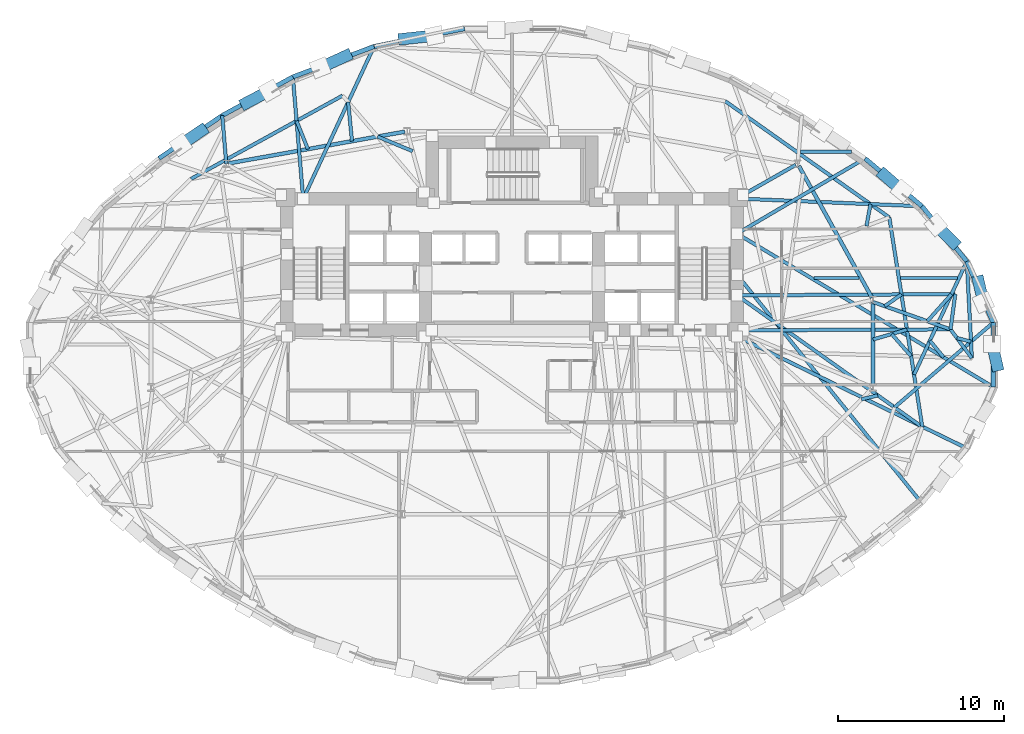
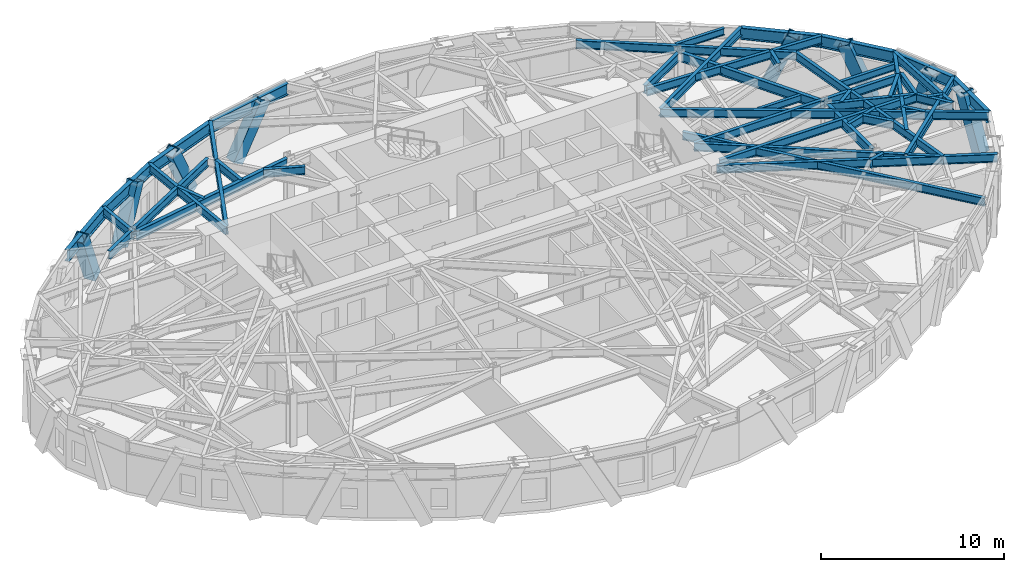
# One storey, part 4 of 14: 46 beams, 8 members.
"""IFC4 building model written with IfcOpenShell, lengths in metres."""

from ifc_helpers import new_model, si_unit, direction, frame, origin, origin_2d, place, context, subcontext, project, spatial, hollow_rectangle, i_section, extrude, material, material_profile, profile_set, type_object, element, save


model = new_model("IFC4")

# Units and contexts
model_context = context("Model", 3, precision=1e-05, world=origin(), true_north=direction((0.0, 1.0)))
body_context = subcontext(model_context, "Body", "Model", "MODEL_VIEW")
ifc_project = project(units=[si_unit("LENGTHUNIT", "METRE"), si_unit("AREAUNIT", "SQUARE_METRE"), si_unit("VOLUMEUNIT", "CUBIC_METRE"), si_unit("PLANEANGLEUNIT", "RADIAN"), si_unit("MASSUNIT", "GRAM", prefix="KILO")], contexts=[model_context])

# Site, building, storey
site_placement = place(None, origin())
site = spatial("IfcSite", under=ifc_project, at=site_placement, CompositionType="ELEMENT")
building_placement = place(site_placement, origin())
building = spatial("IfcBuilding", under=site, at=building_placement, Name="Keldmark Tower", CompositionType="ELEMENT")
storey_placement = place(building_placement, frame((0.0, 0.0, 86.10009765625)))
storey = spatial("IfcBuildingStorey", under=building, at=storey_placement, Name="L22", CompositionType="ELEMENT", Elevation=86.10009765625)

# Beams
ifc_material_1 = material(Name="Steel ASTM A992 Grade 50", Category="steel")
ifc_material_profile_1 = material_profile(ifc_material_1, i_section(OverallWidth=0.19091796875, OverallDepth=0.45703125, WebThickness=0.009033203125, FlangeThickness=0.014404296875, at=origin_2d()), Name="W18X50")
ifc_profile_set_1 = profile_set([ifc_material_profile_1], Name="Steel ASTM A992 Grade 50")
beam_type_1 = type_object("IfcBeamType", Name="Composite Floor Joist W18X50", PredefinedType="JOIST", material=ifc_profile_set_1)
beam_1_placement = place(storey_placement, frame((18.158203125, 4.6201171875, 3.081298828125), z_axis=(1.0, 0.0, 0.0), x_axis=(0.0, 1.0, 0.0)))
element("IfcBeam", 1, at=beam_1_placement, inside=storey, type_object=beam_type_1, Name="L22 Composite Floor Joist J07", PredefinedType="JOIST", context=body_context, shape_type="SweptSolid", body=[
    extrude(i_section(OverallWidth=0.19091796875, OverallDepth=0.45703125, WebThickness=0.009033203125, FlangeThickness=0.014404296875, at=origin_2d()), origin(), (0.0, 0.0, 1.0), 2.69091796875),
])
beam_2_placement = place(storey_placement, frame((23.340576171875, 4.6201171875, 3.081298828125), z_axis=(1.0, 0.0, 0.0), x_axis=(0.0, 1.0, 0.0)))
element("IfcBeam", 2, at=beam_2_placement, inside=storey, type_object=beam_type_1, Name="L22 Composite Floor Joist J08", PredefinedType="JOIST", context=body_context, shape_type="SweptSolid", body=[
    extrude(i_section(OverallWidth=0.19091796875, OverallDepth=0.45703125, WebThickness=0.009033203125, FlangeThickness=0.014404296875, at=origin_2d()), origin(), (0.0, 0.0, 1.0), 3.417236328125),
])
beam_3_placement = place(storey_placement, frame((17.32373046875, 12.199951171875, 3.081298828125), z_axis=(1.0, 0.0, 0.0), x_axis=(0.0, 1.0, 0.0)))
element("IfcBeam", 3, at=beam_3_placement, inside=storey, type_object=beam_type_1, Name="L22 Composite Floor Joist J09", PredefinedType="JOIST", context=body_context, shape_type="SweptSolid", body=[
    extrude(i_section(OverallWidth=0.19091796875, OverallDepth=0.45703125, WebThickness=0.009033203125, FlangeThickness=0.014404296875, at=origin_2d()), origin(), (0.0, 0.0, 1.0), 3.07421875),
])

# Members
ifc_material_2 = material(Name="Steel ASTM A572 Grade 50", Category="steel")
ifc_material_profile_2 = material_profile(ifc_material_2, hollow_rectangle(XDim=0.699951171875, YDim=0.699951171875, WallThickness=0.054931640625, at=origin_2d()), Name="BOX700X700X55")
ifc_profile_set_2 = profile_set([ifc_material_profile_2], Name="Steel ASTM A572 Grade 50")
member_type = type_object("IfcMemberType", Name="Diagrid Zone 1 Brace BOX700X700X55", PredefinedType="BRACE", material=ifc_profile_set_2)
member_1_placement = place(storey_placement, frame((28.0302734375, 4.41796875, -0.27001953125), z_axis=(0.079281396412, -0.342099225519, 0.93631329163), x_axis=(0.97418149595, 0.225766279478, 0.0)))
element("IfcMember", 4, at=member_1_placement, inside=storey, type_object=member_type, Name="L22 Perimeter Diagrid Brace 01A", PredefinedType="BRACE", context=body_context, shape_type="SweptSolid", body=[
    extrude(hollow_rectangle(XDim=0.699951171875, YDim=0.699951171875, WallThickness=0.054931640625, at=origin_2d()), origin(), (0.0, 0.0, 1.0), 3.6953125),
])
member_2_placement = place(storey_placement, frame((26.53662109375, 6.741943359375, -0.27001953125), z_axis=(-0.281275833299, 0.282117201415, 0.917220687876), x_axis=(-0.708161980955, -0.706050004412, 0.0)))
element("IfcMember", 5, at=member_2_placement, inside=storey, type_object=member_type, Name="L22 Perimeter Diagrid Brace 01B", PredefinedType="BRACE", context=body_context, shape_type="SweptSolid", body=[
    extrude(hollow_rectangle(XDim=0.699951171875, YDim=0.699951171875, WallThickness=0.054931640625, at=origin_2d()), origin(), (0.0, 0.0, 1.0), 3.772216796875),
])
member_3_placement = place(storey_placement, frame((22.333740234375, 10.826416015625, -0.27001953125), z_axis=(0.29462091502, -0.258134146787, 0.920089820993), x_axis=(0.658997297756, 0.752145306141, 0.0)))
element("IfcMember", 6, at=member_3_placement, inside=storey, type_object=member_type, Name="L22 Perimeter Diagrid Brace 02A", PredefinedType="BRACE", context=body_context, shape_type="SweptSolid", body=[
    extrude(hollow_rectangle(XDim=0.699951171875, YDim=0.699951171875, WallThickness=0.054931640625, at=origin_2d()), origin(), (0.0, 0.0, 1.0), 3.760498046875),
])
member_4_placement = place(storey_placement, frame((-6.520751953125, 18.980224609375, -0.27001953125), z_axis=(0.473874502884, 0.050557366128, 0.879139868421), x_axis=(-0.106087290074, 0.994356820706, 0.0)))
element("IfcMember", 7, at=member_4_placement, inside=storey, type_object=member_type, Name="L22 Perimeter Diagrid Brace 05A", PredefinedType="BRACE", context=body_context, shape_type="SweptSolid", body=[
    extrude(hollow_rectangle(XDim=0.699951171875, YDim=0.699951171875, WallThickness=0.054931640625, at=origin_2d()), origin(), (0.0, 0.0, 1.0), 3.935546875),
])
member_5_placement = place(storey_placement, frame((-9.95458984375, 17.968505859375, -0.27001953125), z_axis=(-0.405973161866, -0.185876359025, 0.89478252721), x_axis=(0.416294370587, -0.909229892281, 0.0)))
element("IfcMember", 8, at=member_5_placement, inside=storey, type_object=member_type, Name="L22 Perimeter Diagrid Brace 05B", PredefinedType="BRACE", context=body_context, shape_type="SweptSolid", body=[
    extrude(hollow_rectangle(XDim=0.699951171875, YDim=0.699951171875, WallThickness=0.054931640625, at=origin_2d()), origin(), (0.0, 0.0, 1.0), 3.86669921875),
])
member_6_placement = place(storey_placement, frame((-15.98583984375, 15.12109375, -0.27001953125), z_axis=(0.375086533745, 0.19668392371, 0.905883837121), x_axis=(-0.464396078471, 0.885627620561, 0.0)))
element("IfcMember", 9, at=member_6_placement, inside=storey, type_object=member_type, Name="L22 Perimeter Diagrid Brace 06A", PredefinedType="BRACE", context=body_context, shape_type="SweptSolid", body=[
    extrude(hollow_rectangle(XDim=0.699951171875, YDim=0.699951171875, WallThickness=0.054931640625, at=origin_2d()), origin(), (0.0, 0.0, 1.0), 3.8193359375),
])
member_7_placement = place(storey_placement, frame((-18.644775390625, 13.476806640625, -0.27001953125), z_axis=(-0.33379253059, -0.228078654893, 0.914638001454), x_axis=(0.564168739823, -0.825659513968, 0.0)))
element("IfcMember", 10, at=member_7_placement, inside=storey, type_object=member_type, Name="L22 Perimeter Diagrid Brace 06B", PredefinedType="BRACE", context=body_context, shape_type="SweptSolid", body=[
    extrude(hollow_rectangle(XDim=0.699951171875, YDim=0.699951171875, WallThickness=0.054931640625, at=origin_2d()), origin(), (0.0, 0.0, 1.0), 3.782958984375),
])
member_8_placement = place(storey_placement, frame((29.148193359375, -0.64404296875, -0.27001953125), z_axis=(-0.080506829447, 0.348972729608, 0.933668401737), x_axis=(-0.974406695158, -0.224792331788, 0.0)))
element("IfcMember", 11, at=member_8_placement, inside=storey, type_object=member_type, Name="L22 Perimeter Diagrid Brace 16B", PredefinedType="BRACE", context=body_context, shape_type="SweptSolid", body=[
    extrude(hollow_rectangle(XDim=0.699951171875, YDim=0.699951171875, WallThickness=0.054931640625, at=origin_2d()), origin(), (0.0, 0.0, 1.0), 3.705810546875),
])

# Beams
ifc_material_3 = material(Name="Steel ASTM A992 Grade 50", Category="steel")
ifc_material_profile_3 = material_profile(ifc_material_3, i_section(OverallWidth=0.22900390625, OverallDepth=0.612060546875, WebThickness=0.011962890625, FlangeThickness=0.01953125, at=origin_2d()), Name="W24X84")
ifc_profile_set_3 = profile_set([ifc_material_profile_3], Name="Steel ASTM A992 Grade 50")
beam_type_2 = type_object("IfcBeamType", Name="Primary Floor Girder W24X84", PredefinedType="BEAM", material=ifc_profile_set_3)
beam_4_placement = place(storey_placement, frame((21.62890625, 3.432373046875, 3.00390625), z_axis=(-0.484951836703, 0.874540860154, 0.0), x_axis=(-0.874540860154, -0.484951836703, 0.0)))
element("IfcBeam", 12, at=beam_4_placement, inside=storey, type_object=beam_type_2, Name="L22 Floor Ring Girder FG-R01", PredefinedType="BEAM", context=body_context, shape_type="SweptSolid", body=[
    extrude(i_section(OverallWidth=0.22900390625, OverallDepth=0.612060546875, WebThickness=0.011962890625, FlangeThickness=0.01953125, at=origin_2d()), origin(), (0.0, 0.0, 1.0), 9.060302734375),
])
beam_5_placement = place(storey_placement, frame((-6.4365234375, 13.40771484375, 3.00390625), z_axis=(-0.984218266992, -0.176958760505, 0.0), x_axis=(0.176958760505, -0.984218266992, 0.0)))
element("IfcBeam", 13, at=beam_5_placement, inside=storey, type_object=beam_type_2, Name="L22 Floor Ring Girder FG-R04", PredefinedType="BEAM", context=body_context, shape_type="SweptSolid", body=[
    extrude(i_section(OverallWidth=0.22900390625, OverallDepth=0.612060546875, WebThickness=0.011962890625, FlangeThickness=0.01953125, at=origin_2d()), origin(), (0.0, 0.0, 1.0), 10.7626953125),
])
beam_6_placement = place(storey_placement, frame((21.697021484375, -1.825927734375, 3.00390625), z_axis=(0.0, 1.0, 0.0), x_axis=(-1.0, 0.0, 0.0)))
element("IfcBeam", 14, at=beam_6_placement, inside=storey, type_object=beam_type_2, Name="L22 Floor Ring Girder FG-R12", PredefinedType="BEAM", context=body_context, shape_type="SweptSolid", body=[
    extrude(i_section(OverallWidth=0.22900390625, OverallDepth=0.612060546875, WebThickness=0.011962890625, FlangeThickness=0.01953125, at=origin_2d()), origin(), (0.0, 0.0, 1.0), 4.995849609375),
])
ifc_material_4 = material(Name="Steel ASTM A992 Grade 50", Category="steel")
ifc_material_profile_4 = material_profile(ifc_material_4, i_section(OverallWidth=0.2099609375, OverallDepth=0.537109375, WebThickness=0.010986328125, FlangeThickness=0.017333984375, at=origin_2d()), Name="W21X68")
ifc_profile_set_4 = profile_set([ifc_material_profile_4], Name="Steel ASTM A992 Grade 50")
beam_type_3 = type_object("IfcBeamType", Name="Radial Tie Girder W21X68", PredefinedType="BEAM", material=ifc_profile_set_4)
beam_7_placement = place(storey_placement, frame((-5.968505859375, 12.23583984375, 3.04150390625), z_axis=(-0.923581674265, 0.383401735732, 0.0), x_axis=(-0.383401735732, -0.923581674265, 0.0)))
element("IfcBeam", 15, at=beam_7_placement, inside=storey, type_object=beam_type_3, Name="L22 Framing Pin Header PH-002", PredefinedType="BEAM", context=body_context, shape_type="SweptSolid", body=[
    extrude(i_section(OverallWidth=0.2099609375, OverallDepth=0.537109375, WebThickness=0.010986328125, FlangeThickness=0.017333984375, at=origin_2d()), origin(), (0.0, 0.0, 1.0), 2.2861328125),
])
beam_8_placement = place(storey_placement, frame((-10.176025390625, 15.576171875, 3.04150390625), z_axis=(-0.876387373557, -0.481606864019, 0.0), x_axis=(0.481606864019, -0.876387373557, 0.0)))
element("IfcBeam", 16, at=beam_8_placement, inside=storey, type_object=beam_type_3, Name="L22 Perimeter Collector Ring Beam CRG1-M05", PredefinedType="BEAM", context=body_context, shape_type="SweptSolid", body=[
    extrude(i_section(OverallWidth=0.2099609375, OverallDepth=0.537109375, WebThickness=0.010986328125, FlangeThickness=0.017333984375, at=origin_2d()), origin(), (0.0, 0.0, 1.0), 10.398193359375),
])
beam_9_placement = place(storey_placement, frame((20.9951171875, -2.675048828125, 3.04150390625), z_axis=(0.971851782222, 0.235593109813, 0.0), x_axis=(-0.235593109813, 0.971851782222, 0.0)))
element("IfcBeam", 17, at=beam_9_placement, inside=storey, type_object=beam_type_3, Name="L22 Framing Pin Header PH-009", PredefinedType="BEAM", context=body_context, shape_type="SweptSolid", body=[
    extrude(i_section(OverallWidth=0.2099609375, OverallDepth=0.537109375, WebThickness=0.010986328125, FlangeThickness=0.017333984375, at=origin_2d()), origin(), (0.0, 0.0, 1.0), 1.01025390625),
])
beam_10_placement = place(storey_placement, frame((13.52490234375, 3.5712890625, 3.04150390625), z_axis=(0.815054204024, -0.579384712003, 0.0), x_axis=(0.579384712003, 0.815054204024, 0.0)))
element("IfcBeam", 18, at=beam_10_placement, inside=storey, type_object=beam_type_3, Name="L22 Sub-Ring Step Girder STP2-M12", PredefinedType="BEAM", context=body_context, shape_type="SweptSolid", body=[
    extrude(i_section(OverallWidth=0.2099609375, OverallDepth=0.537109375, WebThickness=0.010986328125, FlangeThickness=0.017333984375, at=origin_2d()), origin(), (0.0, 0.0, 1.0), 13.65478515625),
])
beam_11_placement = place(storey_placement, frame((22.6708984375, 8.255126953125, 3.04150390625), z_axis=(-0.815913598308, 0.57817384937, 0.0), x_axis=(-0.57817384937, -0.815913598308, 0.0)))
element("IfcBeam", 19, at=beam_11_placement, inside=storey, type_object=beam_type_3, Name="L22 Perimeter Collector Ring Beam CRG2-M01", PredefinedType="BEAM", context=body_context, shape_type="SweptSolid", body=[
    extrude(i_section(OverallWidth=0.2099609375, OverallDepth=0.537109375, WebThickness=0.010986328125, FlangeThickness=0.017333984375, at=origin_2d()), origin(), (0.0, 0.0, 1.0), 12.074462890625),
])
beam_12_placement = place(storey_placement, frame((24.654296875, -4.340087890625, 3.04150390625), z_axis=(-0.155555491585, 0.987827155447, 0.0), x_axis=(-0.987827155447, -0.155555491585, 0.0)))
element("IfcBeam", 20, at=beam_12_placement, inside=storey, type_object=beam_type_3, Name="L22 Perimeter Collector Ring Beam CRG2-M12", PredefinedType="BEAM", context=body_context, shape_type="SweptSolid", body=[
    extrude(i_section(OverallWidth=0.2099609375, OverallDepth=0.537109375, WebThickness=0.010986328125, FlangeThickness=0.017333984375, at=origin_2d()), origin(), (0.0, 0.0, 1.0), 12.75048828125),
])
beam_13_placement = place(storey_placement, frame((21.697021484375, 0.921875, 3.04150390625), z_axis=(0.959917416444, 0.280282988439, 0.0), x_axis=(-0.280282988439, 0.959917416444, 0.0)))
element("IfcBeam", 21, at=beam_13_placement, inside=storey, type_object=beam_type_3, Name="L22 Framing Pin Header PH-010", PredefinedType="BEAM", context=body_context, shape_type="SweptSolid", body=[
    extrude(i_section(OverallWidth=0.2099609375, OverallDepth=0.537109375, WebThickness=0.010986328125, FlangeThickness=0.017333984375, at=origin_2d()), origin(), (0.0, 0.0, 1.0), 2.1201171875),
])
beam_14_placement = place(storey_placement, frame((13.89990234375, 1.47509765625, 3.04150390625), z_axis=(0.999991279687, 0.00417618851, 0.0), x_axis=(-0.00417618851, 0.999991279687, 0.0)))
element("IfcBeam", 22, at=beam_14_placement, inside=storey, type_object=beam_type_3, Name="L22 Intermediate Radial Step Girder RT-01M", PredefinedType="BEAM", context=body_context, shape_type="SweptSolid", body=[
    extrude(i_section(OverallWidth=0.2099609375, OverallDepth=0.537109375, WebThickness=0.010986328125, FlangeThickness=0.017333984375, at=origin_2d()), origin(), (0.0, 0.0, 1.0), 12.451904296875),
])
beam_15_placement = place(storey_placement, frame((21.697021484375, 3.169921875, 3.04150390625), z_axis=(0.942993072841, -0.332812356401, 0.0), x_axis=(0.332812356401, 0.942993072841, 0.0)))
element("IfcBeam", 23, at=beam_15_placement, inside=storey, type_object=beam_type_3, Name="L22 Local Collector Chord RT-01C", PredefinedType="BEAM", context=body_context, shape_type="SweptSolid", body=[
    extrude(i_section(OverallWidth=0.2099609375, OverallDepth=0.537109375, WebThickness=0.010986328125, FlangeThickness=0.017333984375, at=origin_2d()), origin(), (0.0, 0.0, 1.0), 4.936279296875),
])
beam_16_placement = place(storey_placement, frame((22.39501953125, 2.923583984375, 3.04150390625), z_axis=(0.81874544315, 0.57415668534, 0.0), x_axis=(-0.57415668534, 0.81874544315, 0.0)))
element("IfcBeam", 24, at=beam_16_placement, inside=storey, type_object=beam_type_3, Name="L22 Framing Pin Header PH-011", PredefinedType="BEAM", context=body_context, shape_type="SweptSolid", body=[
    extrude(i_section(OverallWidth=0.2099609375, OverallDepth=0.537109375, WebThickness=0.010986328125, FlangeThickness=0.017333984375, at=origin_2d()), origin(), (0.0, 0.0, 1.0), 1.226806640625),
])
beam_17_placement = place(storey_placement, frame((13.52490234375, 3.5712890625, 3.04150390625), z_axis=(0.999983547134, 0.005736328178, 0.0), x_axis=(-0.005736328178, 0.999983547134, 0.0)))
element("IfcBeam", 25, at=beam_17_placement, inside=storey, type_object=beam_type_3, Name="L22 Intermediate Radial Step Girder RT-02M", PredefinedType="BEAM", context=body_context, shape_type="SweptSolid", body=[
    extrude(i_section(OverallWidth=0.2099609375, OverallDepth=0.537109375, WebThickness=0.010986328125, FlangeThickness=0.017333984375, at=origin_2d()), origin(), (0.0, 0.0, 1.0), 13.108642578125),
])
beam_18_placement = place(storey_placement, frame((26.351806640625, 1.527099609375, 3.04150390625), z_axis=(0.131662558016, 0.991294593356, 0.0), x_axis=(-0.991294593356, 0.131662558016, 0.0)))
element("IfcBeam", 26, at=beam_18_placement, inside=storey, type_object=beam_type_3, Name="L22 Local Collector Chord RT-02C", PredefinedType="BEAM", context=body_context, shape_type="SweptSolid", body=[
    extrude(i_section(OverallWidth=0.2099609375, OverallDepth=0.537109375, WebThickness=0.010986328125, FlangeThickness=0.017333984375, at=origin_2d()), origin(), (0.0, 0.0, 1.0), 2.137939453125),
])
beam_19_placement = place(storey_placement, frame((24.955322265625, 2.02001953125, 3.04150390625), z_axis=(0.666964969089, 0.745089075218, 0.0), x_axis=(-0.745089075218, 0.666964969089, 0.0)))
element("IfcBeam", 27, at=beam_19_placement, inside=storey, type_object=beam_type_3, Name="L22 Framing Pin Header PH-012", PredefinedType="BEAM", context=body_context, shape_type="SweptSolid", body=[
    extrude(i_section(OverallWidth=0.2099609375, OverallDepth=0.537109375, WebThickness=0.010986328125, FlangeThickness=0.017333984375, at=origin_2d()), origin(), (0.0, 0.0, 1.0), 2.181396484375),
])
beam_20_placement = place(storey_placement, frame((24.158447265625, -1.19140625, 3.04150390625), z_axis=(0.42206872204, 0.906563838831, 0.0), x_axis=(-0.906563838831, 0.42206872204, 0.0)))
element("IfcBeam", 28, at=beam_20_placement, inside=storey, type_object=beam_type_3, Name="L22 Perimeter Radial Tie Girder RT-02", PredefinedType="BEAM", context=body_context, shape_type="SweptSolid", body=[
    extrude(i_section(OverallWidth=0.2099609375, OverallDepth=0.537109375, WebThickness=0.010986328125, FlangeThickness=0.017333984375, at=origin_2d()), origin(), (0.0, 0.0, 1.0), 7.5126953125),
])
beam_21_placement = place(storey_placement, frame((21.298828125, 7.738037109375, 3.04150390625), z_axis=(0.181580027131, 0.983376171029, 0.0), x_axis=(-0.983376171029, 0.181580027131, 0.0)))
element("IfcBeam", 29, at=beam_21_placement, inside=storey, type_object=beam_type_3, Name="L22 Framing Pin Header PH-013", PredefinedType="BEAM", context=body_context, shape_type="SweptSolid", body=[
    extrude(i_section(OverallWidth=0.2099609375, OverallDepth=0.537109375, WebThickness=0.010986328125, FlangeThickness=0.017333984375, at=origin_2d()), origin(), (0.0, 0.0, 1.0), 1.339111328125),
])
beam_22_placement = place(storey_placement, frame((13.89990234375, 9.375, 3.04150390625), z_axis=(0.999124664837, -0.041831855267, 0.0), x_axis=(0.041831855267, 0.999124664837, 0.0)))
element("IfcBeam", 30, at=beam_22_placement, inside=storey, type_object=beam_type_3, Name="L22 Perimeter Radial Tie Girder RT-03", PredefinedType="BEAM", context=body_context, shape_type="SweptSolid", body=[
    extrude(i_section(OverallWidth=0.2099609375, OverallDepth=0.537109375, WebThickness=0.010986328125, FlangeThickness=0.017333984375, at=origin_2d()), origin(), (0.0, 0.0, 1.0), 10.74462890625),
])
beam_23_placement = place(storey_placement, frame((13.52490234375, 7.278564453125, 3.04150390625), z_axis=(0.861961654199, 0.506973477304, 0.0), x_axis=(-0.506973477304, 0.861961654199, 0.0)))
element("IfcBeam", 31, at=beam_23_placement, inside=storey, type_object=beam_type_3, Name="L22 Perimeter Radial Tie Girder RT-04", PredefinedType="BEAM", context=body_context, shape_type="SweptSolid", body=[
    extrude(i_section(OverallWidth=0.2099609375, OverallDepth=0.537109375, WebThickness=0.010986328125, FlangeThickness=0.017333984375, at=origin_2d()), origin(), (0.0, 0.0, 1.0), 8.919921875),
])
beam_24_placement = place(storey_placement, frame((-9.614501953125, 12.836181640625, 3.04150390625), z_axis=(-0.097127454019, 0.995271951617, 0.0), x_axis=(-0.995271951617, -0.097127454019, 0.0)))
element("IfcBeam", 32, at=beam_24_placement, inside=storey, type_object=beam_type_3, Name="L22 Framing Pin Header PH-017", PredefinedType="BEAM", context=body_context, shape_type="SweptSolid", body=[
    extrude(i_section(OverallWidth=0.2099609375, OverallDepth=0.537109375, WebThickness=0.010986328125, FlangeThickness=0.017333984375, at=origin_2d()), origin(), (0.0, 0.0, 1.0), 2.3603515625),
])
beam_25_placement = place(storey_placement, frame((-12.54638671875, 9.375, 3.04150390625), z_axis=(0.421758040701, 0.906708417907, 0.0), x_axis=(-0.906708417907, 0.421758040701, 0.0)))
element("IfcBeam", 33, at=beam_25_placement, inside=storey, type_object=beam_type_3, Name="L22 Perimeter Radial Tie Girder RT-10", PredefinedType="BEAM", context=body_context, shape_type="SweptSolid", body=[
    extrude(i_section(OverallWidth=0.2099609375, OverallDepth=0.537109375, WebThickness=0.010986328125, FlangeThickness=0.017333984375, at=origin_2d()), origin(), (0.0, 0.0, 1.0), 10.09130859375),
])
beam_26_placement = place(storey_placement, frame((-12.2626953125, 12.360107421875, 3.04150390625), z_axis=(-0.372588519489, 0.927996656861, 0.0), x_axis=(-0.927996656861, -0.372588519489, 0.0)))
element("IfcBeam", 34, at=beam_26_placement, inside=storey, type_object=beam_type_3, Name="L22 Framing Pin Header PH-018", PredefinedType="BEAM", context=body_context, shape_type="SweptSolid", body=[
    extrude(i_section(OverallWidth=0.2099609375, OverallDepth=0.537109375, WebThickness=0.010986328125, FlangeThickness=0.017333984375, at=origin_2d()), origin(), (0.0, 0.0, 1.0), 1.826904296875),
])
beam_27_placement = place(storey_placement, frame((-12.54638671875, 9.375, 3.04150390625), z_axis=(-0.084507921792, 0.996422807424, 0.0), x_axis=(-0.996422807424, -0.084507921792, 0.0)))
element("IfcBeam", 35, at=beam_27_placement, inside=storey, type_object=beam_type_3, Name="L22 Perimeter Radial Tie Girder RT-11", PredefinedType="BEAM", context=body_context, shape_type="SweptSolid", body=[
    extrude(i_section(OverallWidth=0.2099609375, OverallDepth=0.537109375, WebThickness=0.010986328125, FlangeThickness=0.017333984375, at=origin_2d()), origin(), (0.0, 0.0, 1.0), 7.349609375),
])
beam_28_placement = place(storey_placement, frame((-17.1669921875, 11.478271484375, 3.04150390625), z_axis=(-0.083357785525, 0.996519683495, 0.0), x_axis=(-0.996519683495, -0.083357785525, 0.0)))
element("IfcBeam", 36, at=beam_28_placement, inside=storey, type_object=beam_type_3, Name="L22 Perimeter Column Bracket RT-12", PredefinedType="BEAM", context=body_context, shape_type="SweptSolid", body=[
    extrude(i_section(OverallWidth=0.2099609375, OverallDepth=0.537109375, WebThickness=0.010986328125, FlangeThickness=0.017333984375, at=origin_2d()), origin(), (0.0, 0.0, 1.0), 2.911376953125),
])
beam_29_placement = place(storey_placement, frame((13.52490234375, 4.80712890625, 3.04150390625), z_axis=(0.628965207616, -0.77743344899, 0.0), x_axis=(0.77743344899, 0.628965207616, 0.0)))
element("IfcBeam", 37, at=beam_29_placement, inside=storey, type_object=beam_type_3, Name="L22 Perimeter Radial Tie Girder RT-30", PredefinedType="BEAM", context=body_context, shape_type="SweptSolid", body=[
    extrude(i_section(OverallWidth=0.2099609375, OverallDepth=0.537109375, WebThickness=0.010986328125, FlangeThickness=0.017333984375, at=origin_2d()), origin(), (0.0, 0.0, 1.0), 17.6640625),
])
beam_30_placement = place(storey_placement, frame((13.52490234375, 1.10009765625, 3.04150390625), z_axis=(0.899137513837, -0.437666232661, 0.0), x_axis=(0.437666232661, 0.899137513837, 0.0)))
element("IfcBeam", 38, at=beam_30_placement, inside=storey, type_object=beam_type_3, Name="L22 Perimeter Radial Tie Girder RT-31", PredefinedType="BEAM", context=body_context, shape_type="SweptSolid", body=[
    extrude(i_section(OverallWidth=0.2099609375, OverallDepth=0.537109375, WebThickness=0.010986328125, FlangeThickness=0.017333984375, at=origin_2d()), origin(), (0.0, 0.0, 1.0), 15.35302734375),
])
beam_31_placement = place(storey_placement, frame((22.81640625, 1.248779296875, 3.04150390625), z_axis=(0.658465629531, -0.75261079897, 0.0), x_axis=(0.75261079897, 0.658465629531, 0.0)))
element("IfcBeam", 39, at=beam_31_placement, inside=storey, type_object=beam_type_3, Name="L22 Framing Pin Header PH-037", PredefinedType="BEAM", context=body_context, shape_type="SweptSolid", body=[
    extrude(i_section(OverallWidth=0.2099609375, OverallDepth=0.537109375, WebThickness=0.010986328125, FlangeThickness=0.017333984375, at=origin_2d()), origin(), (0.0, 0.0, 1.0), 1.773681640625),
])
beam_32_placement = place(storey_placement, frame((26.351806640625, 1.527099609375, 3.04150390625), z_axis=(0.594754958788, -0.803907046242, 0.0), x_axis=(0.803907046242, 0.594754958788, 0.0)))
element("IfcBeam", 40, at=beam_32_placement, inside=storey, type_object=beam_type_3, Name="L22 Local Collector Chord RT-32C", PredefinedType="BEAM", context=body_context, shape_type="SweptSolid", body=[
    extrude(i_section(OverallWidth=0.2099609375, OverallDepth=0.537109375, WebThickness=0.010986328125, FlangeThickness=0.017333984375, at=origin_2d()), origin(), (0.0, 0.0, 1.0), 2.150146484375),
])
beam_33_placement = place(storey_placement, frame((25.109619140625, 0.851806640625, 3.04150390625), z_axis=(0.635310459636, -0.772256835436, 0.0), x_axis=(0.772256835436, 0.635310459636, 0.0)))
element("IfcBeam", 41, at=beam_33_placement, inside=storey, type_object=beam_type_3, Name="L22 Framing Pin Header PH-038", PredefinedType="BEAM", context=body_context, shape_type="SweptSolid", body=[
    extrude(i_section(OverallWidth=0.2099609375, OverallDepth=0.537109375, WebThickness=0.010986328125, FlangeThickness=0.017333984375, at=origin_2d()), origin(), (0.0, 0.0, 1.0), 1.294189453125),
])
beam_34_placement = place(storey_placement, frame((13.52490234375, 7.278564453125, 3.04150390625), z_axis=(0.858042692677, -0.513578365533, 0.0), x_axis=(0.513578365533, 0.858042692677, 0.0)))
element("IfcBeam", 42, at=beam_34_placement, inside=storey, type_object=beam_type_3, Name="L22 Perimeter Radial Tie Girder RT-32", PredefinedType="BEAM", context=body_context, shape_type="SweptSolid", body=[
    extrude(i_section(OverallWidth=0.2099609375, OverallDepth=0.537109375, WebThickness=0.010986328125, FlangeThickness=0.017333984375, at=origin_2d()), origin(), (0.0, 0.0, 1.0), 17.93017578125),
])
beam_35_placement = place(storey_placement, frame((27.630615234375, -0.201416015625, 3.04150390625), z_axis=(-0.051688217264, 0.998663270675, 0.0), x_axis=(-0.998663270675, -0.051688217264, 0.0)))
element("IfcBeam", 43, at=beam_35_placement, inside=storey, type_object=beam_type_3, Name="L22 Straddling Support Chord RT-01RB", PredefinedType="BEAM", context=body_context, shape_type="SweptSolid", body=[
    extrude(i_section(OverallWidth=0.2099609375, OverallDepth=0.537109375, WebThickness=0.010986328125, FlangeThickness=0.017333984375, at=origin_2d()), origin(), (0.0, 0.0, 1.0), 5.82861328125),
])
beam_36_placement = place(storey_placement, frame((26.7353515625, 1.008544921875, 3.04150390625), z_axis=(0.967742010857, -0.251943248415, 0.0), x_axis=(0.251943248415, 0.967742010857, 0.0)))
element("IfcBeam", 44, at=beam_36_placement, inside=storey, type_object=beam_type_3, Name="L22 Framing Pin Header PH-039", PredefinedType="BEAM", context=body_context, shape_type="SweptSolid", body=[
    extrude(i_section(OverallWidth=0.2099609375, OverallDepth=0.537109375, WebThickness=0.010986328125, FlangeThickness=0.017333984375, at=origin_2d()), origin(), (0.0, 0.0, 1.0), 0.8720703125),
])
beam_37_placement = place(storey_placement, frame((22.98486328125, -3.1533203125, 3.04150390625), z_axis=(0.758949667978, 0.651149292771, 0.0), x_axis=(-0.651149292771, 0.758949667978, 0.0)))
element("IfcBeam", 45, at=beam_37_placement, inside=storey, type_object=beam_type_3, Name="L22 Perimeter Radial Tie Girder RT-01R", PredefinedType="BEAM", context=body_context, shape_type="SweptSolid", body=[
    extrude(i_section(OverallWidth=0.2099609375, OverallDepth=0.537109375, WebThickness=0.010986328125, FlangeThickness=0.017333984375, at=origin_2d()), origin(), (0.0, 0.0, 1.0), 7.806640625),
])
ifc_material_5 = material(Name="Steel ASTM A992 Grade 50", Category="steel")
ifc_material_profile_5 = material_profile(ifc_material_5, i_section(OverallWidth=0.214111328125, OverallDepth=0.549072265625, WebThickness=0.0146484375, FlangeThickness=0.023681640625, at=origin_2d()), Name="W21X93")
ifc_profile_set_5 = profile_set([ifc_material_profile_5], Name="Steel ASTM A992 Grade 50")
beam_type_4 = type_object("IfcBeamType", Name="Radial Tie Girder W21X93", PredefinedType="BEAM", material=ifc_profile_set_5)
beam_38_placement = place(storey_placement, frame((17.04541015625, 11.4091796875, 3.035400390625), z_axis=(-0.86928447329, -0.494312152892, 0.0), x_axis=(0.494312152892, -0.86928447329, 0.0)))
element("IfcBeam", 46, at=beam_38_placement, inside=storey, type_object=beam_type_4, Name="L22 Floor Radial Girder FG-C02", PredefinedType="BEAM", context=body_context, shape_type="SweptSolid", body=[
    extrude(i_section(OverallWidth=0.214111328125, OverallDepth=0.549072265625, WebThickness=0.0146484375, FlangeThickness=0.023681640625, at=origin_2d()), origin(), (0.0, 0.0, 1.0), 3.6435546875),
])
ifc_material_6 = material(Name="Steel ASTM A992 Grade 50", Category="steel")
ifc_material_profile_6 = material_profile(ifc_material_6, i_section(OverallWidth=0.26806640625, OverallDepth=0.77001953125, WebThickness=0.015625, FlangeThickness=0.025390625, at=origin_2d()), Name="W30X132")
ifc_profile_set_6 = profile_set([ifc_material_profile_6], Name="Steel ASTM A992 Grade 50")
beam_type_5 = type_object("IfcBeamType", Name="Spandrel Ring Beam W30X132", PredefinedType="SPANDREL", material=ifc_profile_set_6)
beam_39_placement = place(storey_placement, frame((28.90966796875, 1.929931640625, 2.9248046875), z_axis=(-0.393735759778, 0.919223667815, 0.0), x_axis=(-0.919223667815, -0.393735759778, 0.0)))
element("IfcBeam", 47, at=beam_39_placement, inside=storey, type_object=beam_type_5, Name="L22 Perimeter Spandrel Ring Beam SRB-01", PredefinedType="SPANDREL", context=body_context, shape_type="SweptSolid", body=[
    extrude(i_section(OverallWidth=0.26806640625, OverallDepth=0.77001953125, WebThickness=0.015625, FlangeThickness=0.025390625, at=origin_2d()), origin(), (0.0, 0.0, 1.0), 4.013671875),
])
beam_40_placement = place(storey_placement, frame((27.329345703125, 5.619384765625, 2.9248046875), z_axis=(-0.631734109106, 0.775185149104, 0.0), x_axis=(-0.775185149104, -0.631734109106, 0.0)))
element("IfcBeam", 48, at=beam_40_placement, inside=storey, type_object=beam_type_5, Name="L22 Perimeter Spandrel Ring Beam SRB-02", PredefinedType="SPANDREL", context=body_context, shape_type="SweptSolid", body=[
    extrude(i_section(OverallWidth=0.26806640625, OverallDepth=0.77001953125, WebThickness=0.015625, FlangeThickness=0.025390625, at=origin_2d()), origin(), (0.0, 0.0, 1.0), 4.264892578125),
])
beam_41_placement = place(storey_placement, frame((24.635009765625, 8.925537109375, 2.9248046875), z_axis=(-0.765563867956, 0.643359902449, 0.0), x_axis=(-0.643359902449, -0.765563867956, 0.0)))
element("IfcBeam", 49, at=beam_41_placement, inside=storey, type_object=beam_type_5, Name="L22 Perimeter Spandrel Ring Beam SRB-03", PredefinedType="SPANDREL", context=body_context, shape_type="SweptSolid", body=[
    extrude(i_section(OverallWidth=0.26806640625, OverallDepth=0.77001953125, WebThickness=0.015625, FlangeThickness=0.025390625, at=origin_2d()), origin(), (0.0, 0.0, 1.0), 4.468994140625),
])
beam_42_placement = place(storey_placement, frame((-2.847412109375, 19.595947265625, 2.9248046875), z_axis=(-0.981183659994, -0.193076734386, 0.0), x_axis=(0.193076734386, -0.981183659994, 0.0)))
element("IfcBeam", 50, at=beam_42_placement, inside=storey, type_object=beam_type_5, Name="L22 Perimeter Spandrel Ring Beam SRB-09", PredefinedType="SPANDREL", context=body_context, shape_type="SweptSolid", body=[
    extrude(i_section(OverallWidth=0.26806640625, OverallDepth=0.77001953125, WebThickness=0.015625, FlangeThickness=0.025390625, at=origin_2d()), origin(), (0.0, 0.0, 1.0), 5.54736328125),
])
beam_43_placement = place(storey_placement, frame((-8.290283203125, 18.52490234375, 2.9248046875), z_axis=(-0.936473584013, -0.350738116613, 0.0), x_axis=(0.350738116613, -0.936473584013, 0.0)))
element("IfcBeam", 51, at=beam_43_placement, inside=storey, type_object=beam_type_5, Name="L22 Perimeter Spandrel Ring Beam SRB-10", PredefinedType="SPANDREL", context=body_context, shape_type="SweptSolid", body=[
    extrude(i_section(OverallWidth=0.26806640625, OverallDepth=0.77001953125, WebThickness=0.015625, FlangeThickness=0.025390625, at=origin_2d()), origin(), (0.0, 0.0, 1.0), 5.2080078125),
])
beam_44_placement = place(storey_placement, frame((-13.16748046875, 16.6982421875, 2.9248046875), z_axis=(-0.877466786029, -0.479637404104, 0.0), x_axis=(0.479637404104, -0.877466786029, 0.0)))
element("IfcBeam", 52, at=beam_44_placement, inside=storey, type_object=beam_type_5, Name="L22 Perimeter Spandrel Ring Beam SRB-11", PredefinedType="SPANDREL", context=body_context, shape_type="SweptSolid", body=[
    extrude(i_section(OverallWidth=0.26806640625, OverallDepth=0.77001953125, WebThickness=0.015625, FlangeThickness=0.025390625, at=origin_2d()), origin(), (0.0, 0.0, 1.0), 4.83447265625),
])
beam_45_placement = place(storey_placement, frame((-17.40966796875, 14.37939453125, 2.9248046875), z_axis=(-0.827742791179, -0.561107718403, 0.0), x_axis=(0.561107718403, -0.827742791179, 0.0)))
element("IfcBeam", 53, at=beam_45_placement, inside=storey, type_object=beam_type_5, Name="L22 Perimeter Spandrel Ring Beam SRB-12", PredefinedType="SPANDREL", context=body_context, shape_type="SweptSolid", body=[
    extrude(i_section(OverallWidth=0.26806640625, OverallDepth=0.77001953125, WebThickness=0.015625, FlangeThickness=0.025390625, at=origin_2d()), origin(), (0.0, 0.0, 1.0), 4.595458984375),
])
beam_46_placement = place(storey_placement, frame((28.90966796875, -1.929931640625, 2.9248046875), z_axis=(0.0, 1.0, 0.0), x_axis=(-1.0, 0.0, 0.0)))
element("IfcBeam", 54, at=beam_46_placement, inside=storey, type_object=beam_type_5, Name="L22 Perimeter Spandrel Ring Beam SRB-32", PredefinedType="SPANDREL", context=body_context, shape_type="SweptSolid", body=[
    extrude(i_section(OverallWidth=0.26806640625, OverallDepth=0.77001953125, WebThickness=0.015625, FlangeThickness=0.025390625, at=origin_2d()), origin(), (0.0, 0.0, 1.0), 3.85986328125),
])

save(model, "model.ifc")
